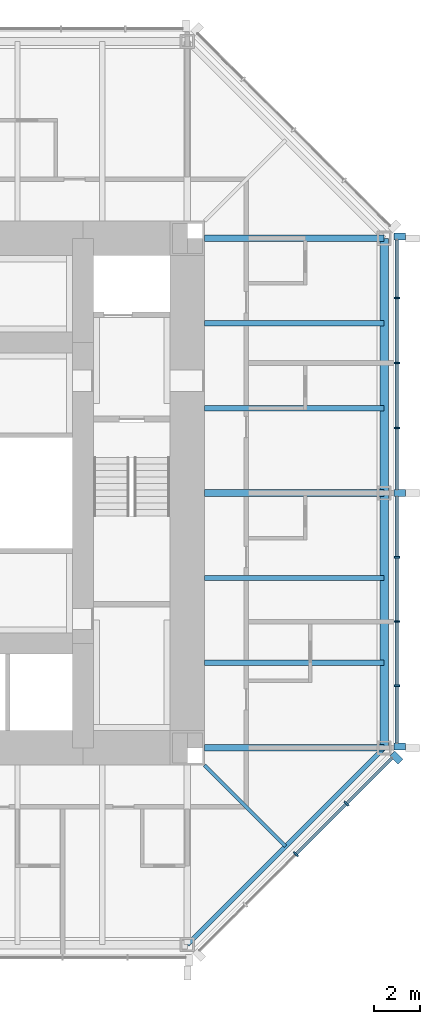
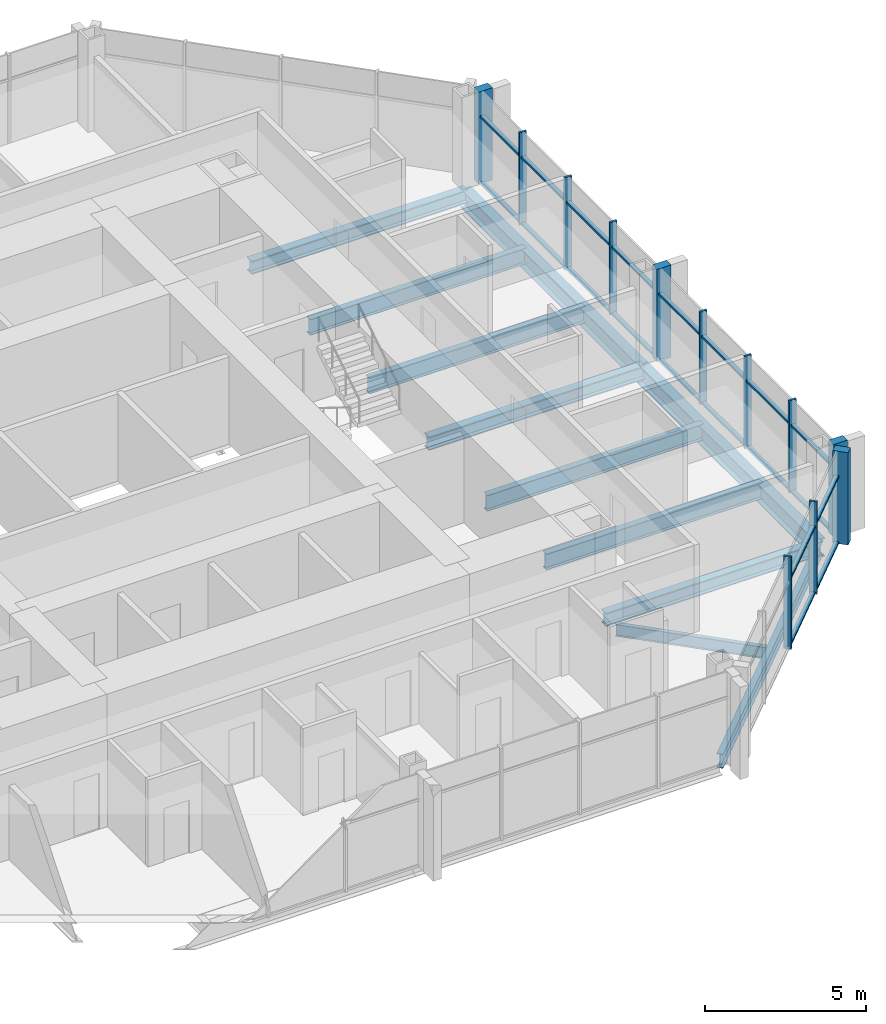
# One storey, part 4 of 12: 32 members, 11 beams, 2 elements without a shape of their own.
"""IFC4 building model written with IfcOpenShell, lengths in metres."""

from ifc_helpers import new_model, si_unit, direction, frame, origin, origin_2d, place, context, subcontext, project, spatial, rectangle, i_section, extrude, material, material_profile, profile_set, type_object, element, aggregate, save


model = new_model("IFC4")

# Units and contexts
model_context = context("Model", 3, precision=1e-05, world=origin(), true_north=direction((0.0, 1.0)))
body_context = subcontext(model_context, "Body", "Model", "MODEL_VIEW")
ifc_project = project(units=[si_unit("LENGTHUNIT", "METRE"), si_unit("AREAUNIT", "SQUARE_METRE"), si_unit("VOLUMEUNIT", "CUBIC_METRE"), si_unit("PLANEANGLEUNIT", "RADIAN"), si_unit("MASSUNIT", "GRAM", prefix="KILO")], contexts=[model_context])

# Site, building, storey
site_placement = place(None, origin())
site = spatial("IfcSite", under=ifc_project, at=site_placement, CompositionType="ELEMENT")
building_placement = place(site_placement, origin())
building = spatial("IfcBuilding", under=site, at=building_placement, Name="Trevanion Tower", CompositionType="ELEMENT")
storey_placement = place(building_placement, frame((0.0, 0.0, 204.699951171875)))
storey = spatial("IfcBuildingStorey", under=building, at=storey_placement, Name="L48", CompositionType="ELEMENT", Elevation=204.699951171875)

# Beams
ifc_material_1 = material(Name="Steel ASTM A992 Grade 50", Category="steel")
ifc_material_profile_1 = material_profile(ifc_material_1, i_section(OverallWidth=0.228271484375, OverallDepth=0.607177734375, WebThickness=0.01123046875, FlangeThickness=0.017333984375, at=origin_2d()), Name="W24X76")
ifc_profile_set_1 = profile_set([ifc_material_profile_1], Name="Steel ASTM A992 Grade 50")
beam_type_1 = type_object("IfcBeamType", Name="B11 W24X76", PredefinedType="BEAM", material=ifc_profile_set_1)
for number, where, z_axis, x_axis, name in (
    (1, (11.75, -7.333251953125, -0.493408203125), (1.0, 0.0, 0.0), (0.0, 1.0, 0.0), "B11 L48"),
    (2, (11.75, -3.666748046875, -0.493408203125), (1.0, 0.0, 0.0), (0.0, 1.0, 0.0), "B11 L48"),
    (3, (11.75, 3.666748046875, -0.493408203125), (1.0, 0.0, 0.0), (0.0, 1.0, 0.0), "B11 L48"),
    (4, (11.75, 7.333251953125, -0.493408203125), (1.0, 0.0, 0.0), (0.0, 1.0, 0.0), "B11 L48"),
):
    element("IfcBeam", number, at=place(storey_placement, frame(where, z_axis=z_axis, x_axis=x_axis)), inside=storey, type_object=beam_type_1, Name=name, PredefinedType="BEAM", context=body_context, shape_type="SweptSolid", body=[
        extrude(i_section(OverallWidth=0.228271484375, OverallDepth=0.607177734375, WebThickness=0.01123046875, FlangeThickness=0.017333984375, at=origin_2d()), origin(), (0.0, 0.0, 1.0), 7.75),
    ])
ifc_material_2 = material(Name="Steel ASTM A992 Grade 50", Category="steel")
ifc_material_profile_2 = material_profile(ifc_material_2, i_section(OverallWidth=0.15234375, OverallDepth=0.449462890625, WebThickness=0.007568359375, FlangeThickness=0.0107421875, at=origin_2d()), Name="W18X35")
ifc_profile_set_2 = profile_set([ifc_material_profile_2], Name="Steel ASTM A992 Grade 50")
beam_type_2 = type_object("IfcBeamType", Name="B12 W18X35", PredefinedType="BEAM", material=ifc_profile_set_2)
beam_1_placement = place(storey_placement, frame((11.75, -11.75, -0.414794921875), z_axis=(0.707106781187, -0.707106781187, 0.0), x_axis=(0.707106781187, 0.707106781187, 0.0)))
element("IfcBeam", 5, at=beam_1_placement, inside=storey, type_object=beam_type_2, Name="B12 L48", PredefinedType="BEAM", context=body_context, shape_type="SweptSolid", body=[
    extrude(i_section(OverallWidth=0.15234375, OverallDepth=0.449462890625, WebThickness=0.007568359375, FlangeThickness=0.0107421875, at=origin_2d()), origin(), (0.0, 0.0, 1.0), 4.94970703125),
])

# Curtain wall, members
ifc_material_3 = material(Name="Aluminium and glass", Category="aluminium")
curtain_wall_type = type_object("IfcCurtainWallType", Name="CW3 curtain wall", PredefinedType="USERDEFINED", material=ifc_material_3)
curtain_wall_1_placement = place(storey_placement, origin())
curtain_wall_1 = element("IfcCurtainWall", 6, at=curtain_wall_1_placement, inside=storey, type_object=curtain_wall_type, Name="CW3 L48 0", ObjectType="UNITISED CURTAIN WALL", PredefinedType="USERDEFINED")
ifc_material_4 = material(Name="Aluminium extrusion, anodised bronze", Category="aluminium")
ifc_material_profile_3 = material_profile(ifc_material_4, rectangle(XDim=0.074951171875, YDim=0.25, at=origin_2d()), Name="CW3 mullion")
ifc_profile_set_3 = profile_set([ifc_material_profile_3], Name="Aluminium extrusion, anodised bronze")
member_type_1 = type_object("IfcMemberType", Name="CW3 mullion", PredefinedType="MULLION", material=ifc_profile_set_3)
member_1_placement = place(storey_placement, frame((20.050048828125, -8.323486328125, -0.18994140625), z_axis=(0.0, 0.0, 1.0), x_axis=(0.0, 1.0, 0.0)))
member_1 = element("IfcMember", 7, at=member_1_placement, type_object=member_type_1, Name="CW3 mullion 2", PredefinedType="MULLION", context=body_context, shape_type="SweptSolid", body=[
    extrude(rectangle(XDim=0.074951171875, YDim=0.25, at=origin_2d()), origin(), (0.0, 0.0, 1.0), 3.5),
])
member_2_placement = place(storey_placement, frame((20.050048828125, -5.548828125, -0.18994140625), z_axis=(0.0, 0.0, 1.0), x_axis=(0.0, 1.0, 0.0)))
member_2 = element("IfcMember", 8, at=member_2_placement, type_object=member_type_1, Name="CW3 mullion 3", PredefinedType="MULLION", context=body_context, shape_type="SweptSolid", body=[
    extrude(rectangle(XDim=0.074951171875, YDim=0.25, at=origin_2d()), origin(), (0.0, 0.0, 1.0), 3.5),
])
member_3_placement = place(storey_placement, frame((20.050048828125, -2.7744140625, -0.18994140625), z_axis=(0.0, 0.0, 1.0), x_axis=(0.0, 1.0, 0.0)))
member_3 = element("IfcMember", 9, at=member_3_placement, type_object=member_type_1, Name="CW3 mullion 4", PredefinedType="MULLION", context=body_context, shape_type="SweptSolid", body=[
    extrude(rectangle(XDim=0.074951171875, YDim=0.25, at=origin_2d()), origin(), (0.0, 0.0, 1.0), 3.5),
])
member_4_placement = place(storey_placement, frame((20.050048828125, 2.806884765625, -0.18994140625), z_axis=(0.0, 0.0, 1.0), x_axis=(0.0, 1.0, 0.0)))
member_4 = element("IfcMember", 10, at=member_4_placement, type_object=member_type_1, Name="CW3 mullion 6", PredefinedType="MULLION", context=body_context, shape_type="SweptSolid", body=[
    extrude(rectangle(XDim=0.074951171875, YDim=0.25, at=origin_2d()), origin(), (0.0, 0.0, 1.0), 3.5),
])
member_5_placement = place(storey_placement, frame((20.050048828125, 5.614013671875, -0.18994140625), z_axis=(0.0, 0.0, 1.0), x_axis=(0.0, 1.0, 0.0)))
member_5 = element("IfcMember", 11, at=member_5_placement, type_object=member_type_1, Name="CW3 mullion 7", PredefinedType="MULLION", context=body_context, shape_type="SweptSolid", body=[
    extrude(rectangle(XDim=0.074951171875, YDim=0.25, at=origin_2d()), origin(), (0.0, 0.0, 1.0), 3.5),
])
member_6_placement = place(storey_placement, frame((20.050048828125, 8.4208984375, -0.18994140625), z_axis=(0.0, 0.0, 1.0), x_axis=(0.0, 1.0, 0.0)))
member_6 = element("IfcMember", 12, at=member_6_placement, type_object=member_type_1, Name="CW3 mullion 8", PredefinedType="MULLION", context=body_context, shape_type="SweptSolid", body=[
    extrude(rectangle(XDim=0.074951171875, YDim=0.25, at=origin_2d()), origin(), (0.0, 0.0, 1.0), 3.5),
])

curtain_wall_2_placement = place(storey_placement, origin())
curtain_wall_2 = element("IfcCurtainWall", 13, at=curtain_wall_2_placement, inside=storey, type_object=curtain_wall_type, Name="CW3 L48 7", ObjectType="UNITISED CURTAIN WALL", PredefinedType="USERDEFINED")
member_7_placement = place(storey_placement, frame((15.684814453125, -15.593017578125, -0.18994140625), z_axis=(0.0, 0.0, 1.0), x_axis=(0.707106781187, 0.707106781187, 0.0)))
member_7 = element("IfcMember", 14, at=member_7_placement, type_object=member_type_1, Name="CW3 mullion 3", PredefinedType="MULLION", context=body_context, shape_type="SweptSolid", body=[
    extrude(rectangle(XDim=0.074951171875, YDim=0.25, at=origin_2d()), origin(), (0.0, 0.0, 1.0), 3.5),
])
member_8_placement = place(storey_placement, frame((17.867431640625, -13.410400390625, -0.18994140625), z_axis=(0.0, 0.0, 1.0), x_axis=(0.707106781187, 0.707106781187, 0.0)))
member_8 = element("IfcMember", 15, at=member_8_placement, type_object=member_type_1, Name="CW3 mullion 4", PredefinedType="MULLION", context=body_context, shape_type="SweptSolid", body=[
    extrude(rectangle(XDim=0.074951171875, YDim=0.25, at=origin_2d()), origin(), (0.0, 0.0, 1.0), 3.5),
])

# Member
ifc_material_5 = material(Name="Aluminium extrusion, anodised bronze", Category="aluminium")
ifc_material_profile_4 = material_profile(ifc_material_5, rectangle(XDim=0.300048828125, YDim=0.5, at=origin_2d()), Name="CW3 pier mullion")
ifc_profile_set_4 = profile_set([ifc_material_profile_4], Name="Aluminium extrusion, anodised bronze")
member_type_2 = type_object("IfcMemberType", Name="CW3 pier mullion", PredefinedType="MULLION", material=ifc_profile_set_4)
member_9_placement = place(storey_placement, frame((20.175048828125, -10.94775390625, -0.18994140625), z_axis=(0.0, 0.0, 1.0), x_axis=(0.0, 1.0, 0.0)))
member_9 = element("IfcMember", 16, at=member_9_placement, type_object=member_type_2, Name="CW3 pier mullion 1", PredefinedType="MULLION", context=body_context, shape_type="SweptSolid", body=[
    extrude(rectangle(XDim=0.300048828125, YDim=0.5, at=origin_2d()), origin(), (0.0, 0.0, 1.0), 3.5),
])

member_10_placement = place(storey_placement, frame((20.175048828125, 0.0, -0.18994140625), z_axis=(0.0, 0.0, 1.0), x_axis=(0.0, 1.0, 0.0)))
member_10 = element("IfcMember", 17, at=member_10_placement, type_object=member_type_2, Name="CW3 pier mullion 5", PredefinedType="MULLION", context=body_context, shape_type="SweptSolid", body=[
    extrude(rectangle(XDim=0.300048828125, YDim=0.5, at=origin_2d()), origin(), (0.0, 0.0, 1.0), 3.5),
])

member_11_placement = place(storey_placement, frame((20.175048828125, 11.077880859375, -0.18994140625), z_axis=(0.0, 0.0, 1.0), x_axis=(0.0, 1.0, 0.0)))
member_11 = element("IfcMember", 18, at=member_11_placement, type_object=member_type_2, Name="CW3 pier mullion 9", PredefinedType="MULLION", context=body_context, shape_type="SweptSolid", body=[
    extrude(rectangle(XDim=0.300048828125, YDim=0.5, at=origin_2d()), origin(), (0.0, 0.0, 1.0), 3.5),
])

member_12_placement = place(storey_placement, frame((20.0322265625, -11.42236328125, -0.18994140625), z_axis=(0.0, 0.0, 1.0), x_axis=(0.707106781187, 0.707106781187, 0.0)))
member_12 = element("IfcMember", 19, at=member_12_placement, type_object=member_type_2, Name="CW3 pier mullion 5", PredefinedType="MULLION", context=body_context, shape_type="SweptSolid", body=[
    extrude(rectangle(XDim=0.300048828125, YDim=0.5, at=origin_2d()), origin(), (0.0, 0.0, 1.0), 3.5),
])

ifc_material_6 = material(Name="Aluminium extrusion, anodised bronze", Category="aluminium")
ifc_material_profile_5 = material_profile(ifc_material_6, rectangle(XDim=0.14990234375, YDim=0.074951171875, at=origin_2d()), Name="CW3 transom")
ifc_profile_set_5 = profile_set([ifc_material_profile_5], Name="Aluminium extrusion, anodised bronze")
member_type_3 = type_object("IfcMemberType", Name="CW3 transom", PredefinedType="USERDEFINED", material=ifc_profile_set_5)
member_13_placement = place(storey_placement, frame((20.050048828125, -10.7978515625, -0.15234375), z_axis=(0.0, 1.0, 0.0), x_axis=(-1.0, 0.0, 0.0)))
member_13 = element("IfcMember", 20, at=member_13_placement, type_object=member_type_3, Name="CW3 transom 1.1", ObjectType="TRANSOM", PredefinedType="USERDEFINED", context=body_context, shape_type="SweptSolid", body=[
    extrude(rectangle(XDim=0.14990234375, YDim=0.074951171875, at=origin_2d()), origin(), (0.0, 0.0, 1.0), 2.43701171875),
])

member_14_placement = place(storey_placement, frame((20.050048828125, -10.7978515625, 2.360107421875), z_axis=(0.0, 1.0, 0.0), x_axis=(-1.0, 0.0, 0.0)))
member_14 = element("IfcMember", 21, at=member_14_placement, type_object=member_type_3, Name="CW3 transom 1.2", ObjectType="TRANSOM", PredefinedType="USERDEFINED", context=body_context, shape_type="SweptSolid", body=[
    extrude(rectangle(XDim=0.14990234375, YDim=0.074951171875, at=origin_2d()), origin(), (0.0, 0.0, 1.0), 2.43701171875),
])

member_15_placement = place(storey_placement, frame((20.050048828125, -8.285888671875, -0.15234375), z_axis=(0.0, 1.0, 0.0), x_axis=(-1.0, 0.0, 0.0)))
member_15 = element("IfcMember", 22, at=member_15_placement, type_object=member_type_3, Name="CW3 transom 2.1", ObjectType="TRANSOM", PredefinedType="USERDEFINED", context=body_context, shape_type="SweptSolid", body=[
    extrude(rectangle(XDim=0.14990234375, YDim=0.074951171875, at=origin_2d()), origin(), (0.0, 0.0, 1.0), 2.699462890625),
])

member_16_placement = place(storey_placement, frame((20.050048828125, -8.285888671875, 2.360107421875), z_axis=(0.0, 1.0, 0.0), x_axis=(-1.0, 0.0, 0.0)))
member_16 = element("IfcMember", 23, at=member_16_placement, type_object=member_type_3, Name="CW3 transom 2.2", ObjectType="TRANSOM", PredefinedType="USERDEFINED", context=body_context, shape_type="SweptSolid", body=[
    extrude(rectangle(XDim=0.14990234375, YDim=0.074951171875, at=origin_2d()), origin(), (0.0, 0.0, 1.0), 2.699462890625),
])

member_17_placement = place(storey_placement, frame((20.050048828125, -5.511474609375, -0.15234375), z_axis=(0.0, 1.0, 0.0), x_axis=(-1.0, 0.0, 0.0)))
member_17 = element("IfcMember", 24, at=member_17_placement, type_object=member_type_3, Name="CW3 transom 3.1", ObjectType="TRANSOM", PredefinedType="USERDEFINED", context=body_context, shape_type="SweptSolid", body=[
    extrude(rectangle(XDim=0.14990234375, YDim=0.074951171875, at=origin_2d()), origin(), (0.0, 0.0, 1.0), 2.699462890625),
])

member_18_placement = place(storey_placement, frame((20.050048828125, -5.511474609375, 2.360107421875), z_axis=(0.0, 1.0, 0.0), x_axis=(-1.0, 0.0, 0.0)))
member_18 = element("IfcMember", 25, at=member_18_placement, type_object=member_type_3, Name="CW3 transom 3.2", ObjectType="TRANSOM", PredefinedType="USERDEFINED", context=body_context, shape_type="SweptSolid", body=[
    extrude(rectangle(XDim=0.14990234375, YDim=0.074951171875, at=origin_2d()), origin(), (0.0, 0.0, 1.0), 2.699462890625),
])

member_19_placement = place(storey_placement, frame((20.050048828125, -2.737060546875, -0.15234375), z_axis=(0.0, 1.0, 0.0), x_axis=(-1.0, 0.0, 0.0)))
member_19 = element("IfcMember", 26, at=member_19_placement, type_object=member_type_3, Name="CW3 transom 4.1", ObjectType="TRANSOM", PredefinedType="USERDEFINED", context=body_context, shape_type="SweptSolid", body=[
    extrude(rectangle(XDim=0.14990234375, YDim=0.074951171875, at=origin_2d()), origin(), (0.0, 0.0, 1.0), 2.587158203125),
])

member_20_placement = place(storey_placement, frame((20.050048828125, -2.737060546875, 2.360107421875), z_axis=(0.0, 1.0, 0.0), x_axis=(-1.0, 0.0, 0.0)))
member_20 = element("IfcMember", 27, at=member_20_placement, type_object=member_type_3, Name="CW3 transom 4.2", ObjectType="TRANSOM", PredefinedType="USERDEFINED", context=body_context, shape_type="SweptSolid", body=[
    extrude(rectangle(XDim=0.14990234375, YDim=0.074951171875, at=origin_2d()), origin(), (0.0, 0.0, 1.0), 2.587158203125),
])

member_21_placement = place(storey_placement, frame((20.050048828125, 0.14990234375, -0.15234375), z_axis=(0.0, 1.0, 0.0), x_axis=(-1.0, 0.0, 0.0)))
member_21 = element("IfcMember", 28, at=member_21_placement, type_object=member_type_3, Name="CW3 transom 5.1", ObjectType="TRANSOM", PredefinedType="USERDEFINED", context=body_context, shape_type="SweptSolid", body=[
    extrude(rectangle(XDim=0.14990234375, YDim=0.074951171875, at=origin_2d()), origin(), (0.0, 0.0, 1.0), 2.619384765625),
])

member_22_placement = place(storey_placement, frame((20.050048828125, 0.14990234375, 2.360107421875), z_axis=(0.0, 1.0, 0.0), x_axis=(-1.0, 0.0, 0.0)))
member_22 = element("IfcMember", 29, at=member_22_placement, type_object=member_type_3, Name="CW3 transom 5.2", ObjectType="TRANSOM", PredefinedType="USERDEFINED", context=body_context, shape_type="SweptSolid", body=[
    extrude(rectangle(XDim=0.14990234375, YDim=0.074951171875, at=origin_2d()), origin(), (0.0, 0.0, 1.0), 2.619384765625),
])

member_23_placement = place(storey_placement, frame((20.050048828125, 2.844482421875, -0.15234375), z_axis=(0.0, 1.0, 0.0), x_axis=(-1.0, 0.0, 0.0)))
member_23 = element("IfcMember", 30, at=member_23_placement, type_object=member_type_3, Name="CW3 transom 6.1", ObjectType="TRANSOM", PredefinedType="USERDEFINED", context=body_context, shape_type="SweptSolid", body=[
    extrude(rectangle(XDim=0.14990234375, YDim=0.074951171875, at=origin_2d()), origin(), (0.0, 0.0, 1.0), 2.73193359375),
])

member_24_placement = place(storey_placement, frame((20.050048828125, 2.844482421875, 2.360107421875), z_axis=(0.0, 1.0, 0.0), x_axis=(-1.0, 0.0, 0.0)))
member_24 = element("IfcMember", 31, at=member_24_placement, type_object=member_type_3, Name="CW3 transom 6.2", ObjectType="TRANSOM", PredefinedType="USERDEFINED", context=body_context, shape_type="SweptSolid", body=[
    extrude(rectangle(XDim=0.14990234375, YDim=0.074951171875, at=origin_2d()), origin(), (0.0, 0.0, 1.0), 2.73193359375),
])

member_25_placement = place(storey_placement, frame((20.050048828125, 5.6513671875, -0.15234375), z_axis=(0.0, 1.0, 0.0), x_axis=(-1.0, 0.0, 0.0)))
member_25 = element("IfcMember", 32, at=member_25_placement, type_object=member_type_3, Name="CW3 transom 7.1", ObjectType="TRANSOM", PredefinedType="USERDEFINED", context=body_context, shape_type="SweptSolid", body=[
    extrude(rectangle(XDim=0.14990234375, YDim=0.074951171875, at=origin_2d()), origin(), (0.0, 0.0, 1.0), 2.73193359375),
])

member_26_placement = place(storey_placement, frame((20.050048828125, 5.6513671875, 2.360107421875), z_axis=(0.0, 1.0, 0.0), x_axis=(-1.0, 0.0, 0.0)))
member_26 = element("IfcMember", 33, at=member_26_placement, type_object=member_type_3, Name="CW3 transom 7.2", ObjectType="TRANSOM", PredefinedType="USERDEFINED", context=body_context, shape_type="SweptSolid", body=[
    extrude(rectangle(XDim=0.14990234375, YDim=0.074951171875, at=origin_2d()), origin(), (0.0, 0.0, 1.0), 2.73193359375),
])

member_27_placement = place(storey_placement, frame((20.050048828125, 8.45849609375, -0.15234375), z_axis=(0.0, 1.0, 0.0), x_axis=(-1.0, 0.0, 0.0)))
member_27 = element("IfcMember", 34, at=member_27_placement, type_object=member_type_3, Name="CW3 transom 8.1", ObjectType="TRANSOM", PredefinedType="USERDEFINED", context=body_context, shape_type="SweptSolid", body=[
    extrude(rectangle(XDim=0.14990234375, YDim=0.074951171875, at=origin_2d()), origin(), (0.0, 0.0, 1.0), 2.46923828125),
])

member_28_placement = place(storey_placement, frame((20.050048828125, 8.45849609375, 2.360107421875), z_axis=(0.0, 1.0, 0.0), x_axis=(-1.0, 0.0, 0.0)))
member_28 = element("IfcMember", 35, at=member_28_placement, type_object=member_type_3, Name="CW3 transom 8.2", ObjectType="TRANSOM", PredefinedType="USERDEFINED", context=body_context, shape_type="SweptSolid", body=[
    extrude(rectangle(XDim=0.14990234375, YDim=0.074951171875, at=origin_2d()), origin(), (0.0, 0.0, 1.0), 2.46923828125),
])

aggregate(curtain_wall_1, [member_9, member_1, member_2, member_3, member_10, member_4, member_5, member_6, member_11, member_13, member_14, member_15, member_16, member_17, member_18, member_19, member_20, member_21, member_22, member_23, member_24, member_25, member_26, member_27, member_28])

member_29_placement = place(storey_placement, frame((15.71142578125, -15.56640625, -0.15234375), z_axis=(0.707106781187, 0.707106781187, 0.0), x_axis=(-0.707106781187, 0.707106781187, 0.0)))
member_29 = element("IfcMember", 36, at=member_29_placement, type_object=member_type_3, Name="CW3 transom 3.1", ObjectType="TRANSOM", PredefinedType="USERDEFINED", context=body_context, shape_type="SweptSolid", body=[
    extrude(rectangle(XDim=0.14990234375, YDim=0.074951171875, at=origin_2d()), origin(), (0.0, 0.0, 1.0), 3.011474609375),
])

member_30_placement = place(storey_placement, frame((15.71142578125, -15.56640625, 2.360107421875), z_axis=(0.707106781187, 0.707106781187, 0.0), x_axis=(-0.707106781187, 0.707106781187, 0.0)))
member_30 = element("IfcMember", 37, at=member_30_placement, type_object=member_type_3, Name="CW3 transom 3.2", ObjectType="TRANSOM", PredefinedType="USERDEFINED", context=body_context, shape_type="SweptSolid", body=[
    extrude(rectangle(XDim=0.14990234375, YDim=0.074951171875, at=origin_2d()), origin(), (0.0, 0.0, 1.0), 3.011474609375),
])

member_31_placement = place(storey_placement, frame((17.89404296875, -13.3837890625, -0.15234375), z_axis=(0.707106781187, 0.707106781187, 0.0), x_axis=(-0.707106781187, 0.707106781187, 0.0)))
member_31 = element("IfcMember", 38, at=member_31_placement, type_object=member_type_3, Name="CW3 transom 4.1", ObjectType="TRANSOM", PredefinedType="USERDEFINED", context=body_context, shape_type="SweptSolid", body=[
    extrude(rectangle(XDim=0.14990234375, YDim=0.074951171875, at=origin_2d()), origin(), (0.0, 0.0, 1.0), 2.7490234375),
])

member_32_placement = place(storey_placement, frame((17.89404296875, -13.3837890625, 2.360107421875), z_axis=(0.707106781187, 0.707106781187, 0.0), x_axis=(-0.707106781187, 0.707106781187, 0.0)))
member_32 = element("IfcMember", 39, at=member_32_placement, type_object=member_type_3, Name="CW3 transom 4.2", ObjectType="TRANSOM", PredefinedType="USERDEFINED", context=body_context, shape_type="SweptSolid", body=[
    extrude(rectangle(XDim=0.14990234375, YDim=0.074951171875, at=origin_2d()), origin(), (0.0, 0.0, 1.0), 2.7490234375),
])

aggregate(curtain_wall_2, [member_7, member_8, member_12, member_29, member_30, member_31, member_32])

# Beams
ifc_material_7 = material(Name="Steel ASTM A992 Grade 50", Category="steel")
ifc_material_profile_6 = material_profile(ifc_material_7, i_section(OverallWidth=0.28955078125, OverallDepth=0.508056640625, WebThickness=0.022705078125, FlangeThickness=0.040283203125, at=origin_2d()), Name="W18X175")
ifc_profile_set_6 = profile_set([ifc_material_profile_6], Name="Steel ASTM A992 Grade 50")
beam_type_3 = type_object("IfcBeamType", Name="G6 W18X175", PredefinedType="BEAM", material=ifc_profile_set_6)
for number, where, z_axis, x_axis, name in (
    (40, (11.75, -11.0, -0.44384765625), (1.0, 0.0, 0.0), (0.0, 1.0, 0.0), "G6 L48"),
    (41, (11.75, 0.0, -0.44384765625), (1.0, 0.0, 0.0), (0.0, 1.0, 0.0), "G6 L48"),
    (42, (11.75, 11.0, -0.44384765625), (1.0, 0.0, 0.0), (0.0, 1.0, 0.0), "G6 L48"),
):
    element("IfcBeam", number, at=place(storey_placement, frame(where, z_axis=z_axis, x_axis=x_axis)), inside=storey, type_object=beam_type_3, Name=name, PredefinedType="BEAM", context=body_context, shape_type="SweptSolid", body=[
        extrude(i_section(OverallWidth=0.28955078125, OverallDepth=0.508056640625, WebThickness=0.022705078125, FlangeThickness=0.040283203125, at=origin_2d()), origin(), (0.0, 0.0, 1.0), 7.75),
    ])
ifc_material_8 = material(Name="Steel ASTM A992 Grade 50", Category="steel")
ifc_material_profile_7 = material_profile(ifc_material_8, i_section(OverallWidth=0.355712890625, OverallDepth=0.696044921875, WebThickness=0.015380859375, FlangeThickness=0.024658203125, at=origin_2d()), Name="W27X146")
ifc_profile_set_7 = profile_set([ifc_material_profile_7], Name="Steel ASTM A992 Grade 50")
beam_type_4 = type_object("IfcBeamType", Name="SB8 W27X146", PredefinedType="SPANDREL", material=ifc_profile_set_7)
for number, where, z_axis, x_axis, name in (
    (43, (19.5, -11.0, -0.537841796875), (0.0, 1.0, 0.0), (-1.0, 0.0, 0.0), "SB8 L48"),
    (44, (19.5, 0.0, -0.537841796875), (0.0, 1.0, 0.0), (-1.0, 0.0, 0.0), "SB8 L48"),
):
    element("IfcBeam", number, at=place(storey_placement, frame(where, z_axis=z_axis, x_axis=x_axis)), inside=storey, type_object=beam_type_4, Name=name, PredefinedType="SPANDREL", context=body_context, shape_type="SweptSolid", body=[
        extrude(i_section(OverallWidth=0.355712890625, OverallDepth=0.696044921875, WebThickness=0.015380859375, FlangeThickness=0.024658203125, at=origin_2d()), origin(), (0.0, 0.0, 1.0), 11.0),
    ])
ifc_material_9 = material(Name="Steel ASTM A992 Grade 50", Category="steel")
ifc_material_profile_8 = material_profile(ifc_material_9, i_section(OverallWidth=0.209228515625, OverallDepth=0.533447265625, WebThickness=0.01025390625, FlangeThickness=0.015625, at=origin_2d()), Name="W21X62")
ifc_profile_set_8 = profile_set([ifc_material_profile_8], Name="Steel ASTM A992 Grade 50")
beam_type_5 = type_object("IfcBeamType", Name="SB9 W21X62", PredefinedType="SPANDREL", material=ifc_profile_set_8)
beam_2_placement = place(storey_placement, frame((11.0, -19.5, -0.45654296875), z_axis=(0.707106781187, 0.707106781187, 0.0), x_axis=(-0.707106781187, 0.707106781187, 0.0)))
element("IfcBeam", 45, at=beam_2_placement, inside=storey, type_object=beam_type_5, Name="SB9 L48", PredefinedType="SPANDREL", context=body_context, shape_type="SweptSolid", body=[
    extrude(i_section(OverallWidth=0.209228515625, OverallDepth=0.533447265625, WebThickness=0.01025390625, FlangeThickness=0.015625, at=origin_2d()), origin(), (0.0, 0.0, 1.0), 12.020751953125),
])

save(model, "model.ifc")
